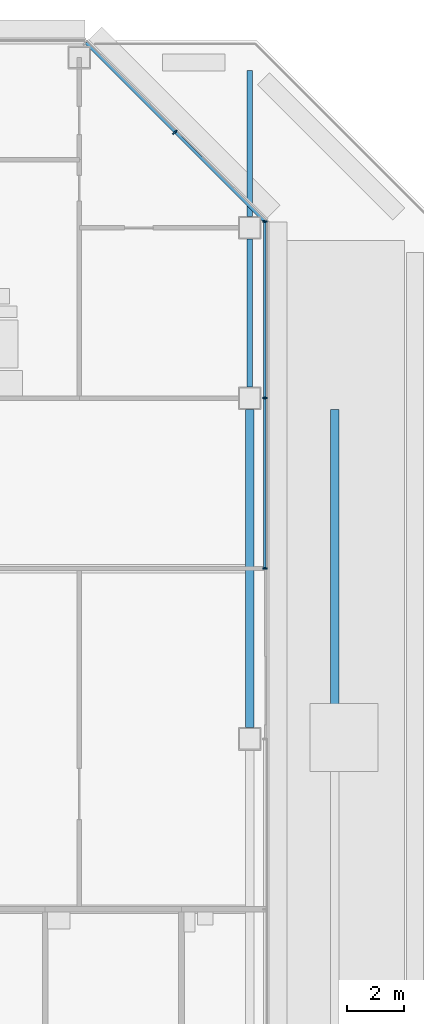
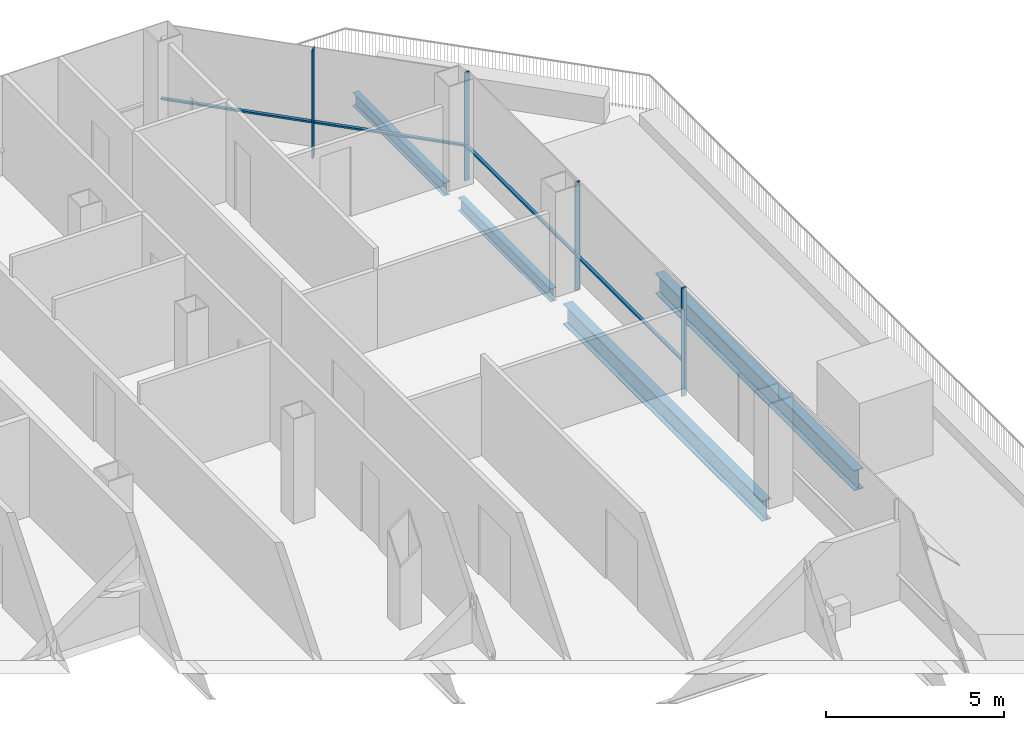
# One storey, part 15 of 28: 6 members, 4 beams, 2 elements without a shape of their own.
"""IFC4 building model written with IfcOpenShell, lengths in metres."""

from ifc_helpers import new_model, si_unit, direction, frame, origin, origin_2d, place, context, subcontext, project, spatial, rectangle, i_section, extrude, material, material_profile, profile_set, type_object, element, aggregate, save


model = new_model("IFC4")

# Units and contexts
model_context = context("Model", 3, precision=1e-05, world=origin(), true_north=direction((0.0, 1.0)))
body_context = subcontext(model_context, "Body", "Model", "MODEL_VIEW")
ifc_project = project(units=[si_unit("LENGTHUNIT", "METRE"), si_unit("AREAUNIT", "SQUARE_METRE"), si_unit("VOLUMEUNIT", "CUBIC_METRE"), si_unit("PLANEANGLEUNIT", "RADIAN"), si_unit("MASSUNIT", "GRAM", prefix="KILO")], contexts=[model_context])

# Site, building, storey
site_placement = place(None, origin())
site = spatial("IfcSite", under=ifc_project, at=site_placement, CompositionType="ELEMENT")
building_placement = place(site_placement, origin())
building = spatial("IfcBuilding", under=site, at=building_placement, Name="Sorahane Residences", CompositionType="ELEMENT")
storey_placement = place(building_placement, frame((0.0, 0.0, 96.199951171875)))
storey = spatial("IfcBuildingStorey", under=building, at=storey_placement, Name="L20", CompositionType="ELEMENT", Elevation=96.199951171875)

# Curtain wall, members
ifc_material_1 = material(Name="Dark low-e glass and black anodised aluminium", Category="aluminium")
curtain_wall_type_1 = type_object("IfcCurtainWallType", Name="Curtain wall CW-1 Typical unitised wall", PredefinedType="NOTDEFINED", material=ifc_material_1)
curtain_wall_1_placement = place(storey_placement, origin())
curtain_wall_1 = element("IfcCurtainWall", 1, at=curtain_wall_1_placement, inside=storey, type_object=curtain_wall_type_1, Name="CW-1 curtain wall L20 E1", PredefinedType="NOTDEFINED")
ifc_material_2 = material(Name="Black anodised aluminium", Category="aluminium")
ifc_material_profile_1 = material_profile(ifc_material_2, rectangle(XDim=0.159912109375, YDim=0.050048828125, at=origin_2d()), Name="Curtain wall mullion CW-1 black anodised aluminium 50x160")
ifc_profile_set_1 = profile_set([ifc_material_profile_1], Name="Black anodised aluminium")
member_type_1 = type_object("IfcMemberType", Name="Curtain wall mullion CW-1 black anodised aluminium 50x160", PredefinedType="MULLION", material=ifc_profile_set_1)
member_1_placement = place(storey_placement, frame((60.5400390625, 30.0, -0.300048828125), z_axis=(0.0, 0.0, 1.0), x_axis=(1.0, 0.0, 0.0)))
member_1 = element("IfcMember", 2, at=member_1_placement, type_object=member_type_1, Name="CW-1 mullion L20 E1.5", PredefinedType="MULLION", context=body_context, shape_type="SweptSolid", body=[
    extrude(rectangle(XDim=0.159912109375, YDim=0.050048828125, at=origin_2d()), origin(), (0.0, 0.0, 1.0), 3.72021484375),
])
member_2_placement = place(storey_placement, frame((60.5400390625, 36.0, -0.300048828125), z_axis=(0.0, 0.0, 1.0), x_axis=(1.0, 0.0, 0.0)))
member_2 = element("IfcMember", 3, at=member_2_placement, type_object=member_type_1, Name="CW-1 mullion L20 E1.6", PredefinedType="MULLION", context=body_context, shape_type="SweptSolid", body=[
    extrude(rectangle(XDim=0.159912109375, YDim=0.050048828125, at=origin_2d()), origin(), (0.0, 0.0, 1.0), 3.72021484375),
])
member_3_placement = place(storey_placement, frame((60.5400390625, 42.2236328125, -0.300048828125), z_axis=(0.0, 0.0, 1.0), x_axis=(1.0, 0.0, 0.0)))
member_3 = element("IfcMember", 4, at=member_3_placement, type_object=member_type_1, Name="CW-1 mullion L20 E1.7", PredefinedType="MULLION", context=body_context, shape_type="SweptSolid", body=[
    extrude(rectangle(XDim=0.159912109375, YDim=0.050048828125, at=origin_2d()), origin(), (0.0, 0.0, 1.0), 3.72021484375),
])

# Curtain wall, member
ifc_material_3 = material(Name="Dark low-e glass and black anodised aluminium", Category="aluminium")
curtain_wall_type_2 = type_object("IfcCurtainWallType", Name="Curtain wall CW-2 Chamfer unitised wall", PredefinedType="NOTDEFINED", material=ifc_material_3)
curtain_wall_2_placement = place(storey_placement, origin())
curtain_wall_2 = element("IfcCurtainWall", 5, at=curtain_wall_2_placement, inside=storey, type_object=curtain_wall_type_2, Name="CW-2 curtain wall L20 NE1", PredefinedType="NOTDEFINED")
ifc_material_4 = material(Name="Black anodised aluminium", Category="aluminium")
ifc_material_profile_2 = material_profile(ifc_material_4, rectangle(XDim=0.199951171875, YDim=0.050048828125, at=origin_2d()), Name="Curtain wall mullion CW-2 black anodised aluminium 50x200")
ifc_profile_set_2 = profile_set([ifc_material_profile_2], Name="Black anodised aluminium")
member_type_2 = type_object("IfcMemberType", Name="Curtain wall mullion CW-2 black anodised aluminium 50x200", PredefinedType="MULLION", material=ifc_profile_set_2)
member_4_placement = place(storey_placement, frame((57.36767578125, 45.36767578125, -0.300048828125), z_axis=(0.0, 0.0, 1.0), x_axis=(0.707106781187, 0.707106781187, 0.0)))
member_4 = element("IfcMember", 6, at=member_4_placement, type_object=member_type_2, Name="CW-2 mullion L20 NE1.2", PredefinedType="MULLION", context=body_context, shape_type="SweptSolid", body=[
    extrude(rectangle(XDim=0.199951171875, YDim=0.050048828125, at=origin_2d()), origin(), (0.0, 0.0, 1.0), 3.72021484375),
])

# Member
ifc_material_5 = material(Name="Black anodised aluminium", Category="aluminium")
ifc_material_profile_3 = material_profile(ifc_material_5, rectangle(XDim=0.10009765625, YDim=0.06005859375, at=origin_2d()), Name="Curtain wall transom CW-1 black anodised aluminium 60x100")
ifc_profile_set_3 = profile_set([ifc_material_profile_3], Name="Black anodised aluminium")
member_type_3 = type_object("IfcMemberType", Name="Curtain wall transom CW-1 black anodised aluminium 60x100", PredefinedType="USERDEFINED", material=ifc_profile_set_3)
member_5_placement = place(storey_placement, frame((60.530029296875, 30.02490234375, 0.900146484375), z_axis=(0.0, 1.0, 0.0), x_axis=(-1.0, 0.0, 0.0)))
member_5 = element("IfcMember", 7, at=member_5_placement, type_object=member_type_3, Name="CW-1 transom L20 E1.2", ObjectType="TRANSOM", PredefinedType="USERDEFINED", context=body_context, shape_type="SweptSolid", body=[
    extrude(rectangle(XDim=0.10009765625, YDim=0.06005859375, at=origin_2d()), origin(), (0.0, 0.0, 1.0), 12.173583984375),
])

aggregate(curtain_wall_1, [member_1, member_2, member_3, member_5])

ifc_material_6 = material(Name="Black anodised aluminium", Category="aluminium")
ifc_material_profile_4 = material_profile(ifc_material_6, rectangle(XDim=0.10009765625, YDim=0.06005859375, at=origin_2d()), Name="Curtain wall transom CW-2 black anodised aluminium 60x100")
ifc_profile_set_4 = profile_set([ifc_material_profile_4], Name="Black anodised aluminium")
member_type_4 = type_object("IfcMemberType", Name="Curtain wall transom CW-2 black anodised aluminium 60x100", PredefinedType="USERDEFINED", material=ifc_profile_set_4)
member_6_placement = place(storey_placement, frame((60.51513671875, 42.234375, 0.900146484375), z_axis=(-0.707106781187, 0.707106781187, 0.0), x_axis=(-0.707106781187, -0.707106781187, 0.0)))
member_6 = element("IfcMember", 8, at=member_6_placement, type_object=member_type_4, Name="CW-2 transom L20 NE1", ObjectType="TRANSOM", PredefinedType="USERDEFINED", context=body_context, shape_type="SweptSolid", body=[
    extrude(rectangle(XDim=0.10009765625, YDim=0.06005859375, at=origin_2d()), origin(), (0.0, 0.0, 1.0), 8.88232421875),
])

aggregate(curtain_wall_2, [member_4, member_6])

# Beams
ifc_material_7 = material(Name="Steel Q355B", Category="steel")
ifc_material_profile_5 = material_profile(ifc_material_7, i_section(OverallWidth=0.199951171875, OverallDepth=0.449951171875, WebThickness=0.009033203125, FlangeThickness=0.013916015625, FilletRadius=0.02001953125, at=origin_2d()), Name="HN 450x200x9x14")
ifc_profile_set_5 = profile_set([ifc_material_profile_5], Name="Steel Q355B")
beam_type_1 = type_object("IfcBeamType", Name="Steel floor beam HN 450x200x9x14 Q355B", PredefinedType="BEAM", material=ifc_profile_set_5)
beam_1_placement = place(storey_placement, frame((60.0, 36.39990234375, -0.52490234375), z_axis=(0.0, 1.0, 0.0), x_axis=(-1.0, 0.0, 0.0)))
element("IfcBeam", 9, at=beam_1_placement, inside=storey, type_object=beam_type_1, Name="Beam L20 055", PredefinedType="BEAM", context=body_context, shape_type="SweptSolid", body=[
    extrude(i_section(OverallWidth=0.199951171875, OverallDepth=0.449951171875, WebThickness=0.009033203125, FlangeThickness=0.013916015625, FilletRadius=0.02001953125, at=origin_2d()), origin(), (0.0, 0.0, 1.0), 5.2001953125),
])
beam_2_placement = place(storey_placement, frame((60.0, 42.39990234375, -0.52490234375), z_axis=(0.0, 1.0, 0.0), x_axis=(-1.0, 0.0, 0.0)))
element("IfcBeam", 10, at=beam_2_placement, inside=storey, type_object=beam_type_1, Name="Beam L20 056", PredefinedType="BEAM", context=body_context, shape_type="SweptSolid", body=[
    extrude(i_section(OverallWidth=0.199951171875, OverallDepth=0.449951171875, WebThickness=0.009033203125, FlangeThickness=0.013916015625, FilletRadius=0.02001953125, at=origin_2d()), origin(), (0.0, 0.0, 1.0), 5.150146484375),
])
ifc_material_8 = material(Name="Steel Q355B", Category="steel")
ifc_material_profile_6 = material_profile(ifc_material_8, i_section(OverallWidth=0.300048828125, OverallDepth=0.699951171875, WebThickness=0.012939453125, FlangeThickness=0.02392578125, FilletRadius=0.028076171875, at=origin_2d()), Name="HN 700x300x13x24")
ifc_profile_set_6 = profile_set([ifc_material_profile_6], Name="Steel Q355B")
beam_type_2 = type_object("IfcBeamType", Name="Steel floor beam HN 700x300x13x24 Q355B", PredefinedType="BEAM", material=ifc_profile_set_6)
beam_3_placement = place(storey_placement, frame((60.0, 24.39990234375, -0.64990234375), z_axis=(0.0, 1.0, 0.0), x_axis=(-1.0, 0.0, 0.0)))
element("IfcBeam", 11, at=beam_3_placement, inside=storey, type_object=beam_type_2, Name="Beam L20 054", PredefinedType="BEAM", context=body_context, shape_type="SweptSolid", body=[
    extrude(i_section(OverallWidth=0.300048828125, OverallDepth=0.699951171875, WebThickness=0.012939453125, FlangeThickness=0.02392578125, FilletRadius=0.028076171875, at=origin_2d()), origin(), (0.0, 0.0, 1.0), 11.2001953125),
])
beam_4_placement = place(storey_placement, frame((63.0, 24.400146484375, -0.64990234375), z_axis=(0.0, 1.0, 0.0), x_axis=(-1.0, 0.0, 0.0)))
element("IfcBeam", 12, at=beam_4_placement, inside=storey, type_object=beam_type_2, Name="Beam L20 069", PredefinedType="BEAM", context=body_context, shape_type="SweptSolid", body=[
    extrude(i_section(OverallWidth=0.300048828125, OverallDepth=0.699951171875, WebThickness=0.012939453125, FlangeThickness=0.02392578125, FilletRadius=0.028076171875, at=origin_2d()), origin(), (0.0, 0.0, 1.0), 11.19970703125),
])

save(model, "model.ifc")
